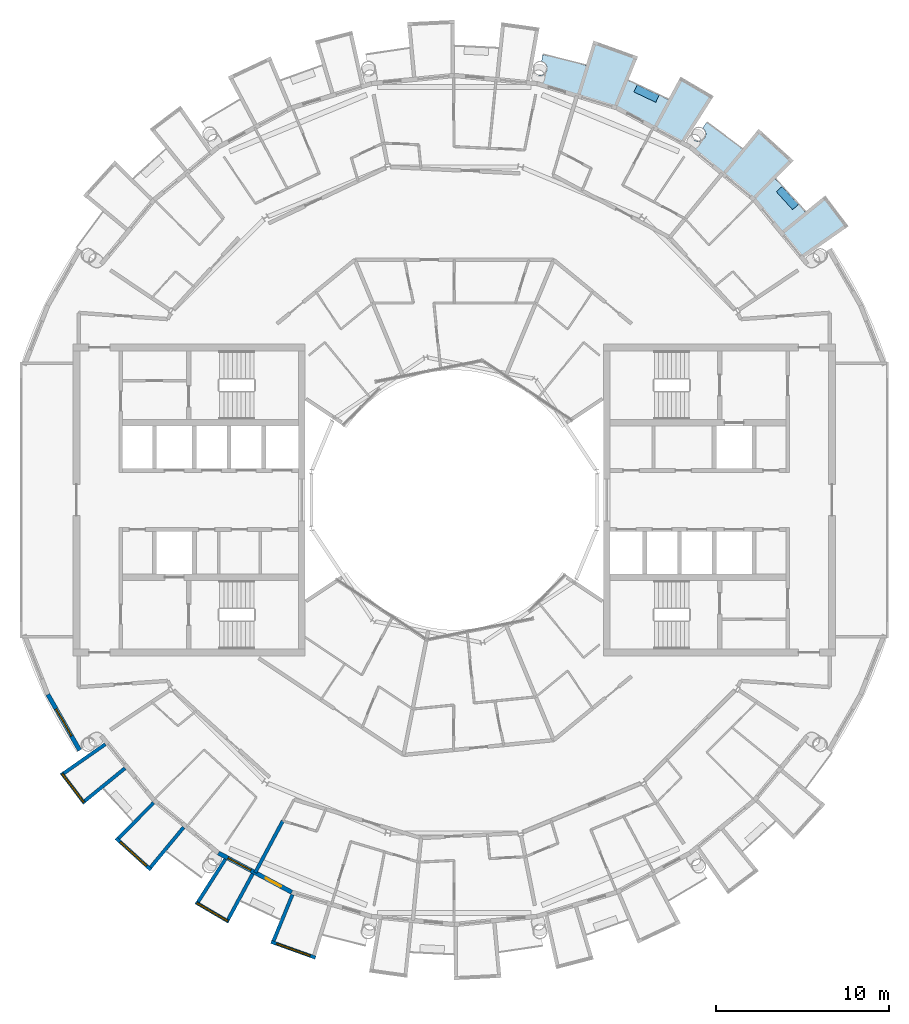
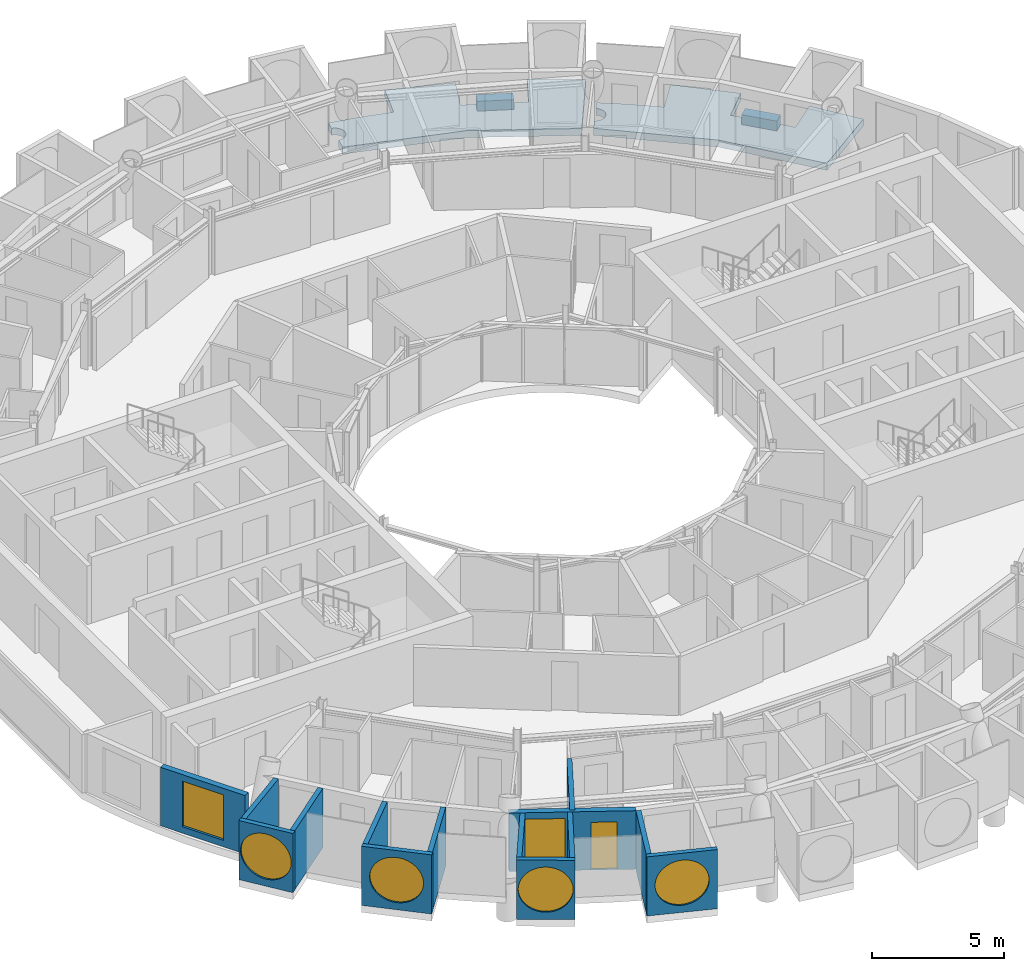
# One storey, part 13 of 27: 14 walls, 6 windows, 4 slabs, 1 door, 7 openings.
"""IFC4 building model written with IfcOpenShell, lengths in metres."""

from ifc_helpers import new_model, si_unit, direction, frame, frame_2d, origin, place, context, subcontext, project, spatial, polyline, rectangle, circle, outline, extrude, material, layer, layer_set, type_object, element, fill, save


model = new_model("IFC4")

# Units and contexts
model_context = context("Model", 3, precision=1e-05, world=origin(), true_north=direction((0.0, 1.0)))
body_context = subcontext(model_context, "Body", "Model", "MODEL_VIEW")
ifc_project = project(units=[si_unit("LENGTHUNIT", "METRE"), si_unit("AREAUNIT", "SQUARE_METRE"), si_unit("VOLUMEUNIT", "CUBIC_METRE"), si_unit("PLANEANGLEUNIT", "RADIAN"), si_unit("MASSUNIT", "GRAM", prefix="KILO")], contexts=[model_context])

# Site, building, storey
site_placement = place(None, origin())
site = spatial("IfcSite", under=ifc_project, at=site_placement, CompositionType="ELEMENT")
building_placement = place(site_placement, origin())
building = spatial("IfcBuilding", under=site, at=building_placement, Name="Maasbend Ring Residences", CompositionType="ELEMENT")
storey_placement = place(building_placement, frame((0.0, 0.0, 243.199951171875)))
storey = spatial("IfcBuildingStorey", under=building, at=storey_placement, Name="L70", CompositionType="ELEMENT", Elevation=243.199951171875)

# Slabs
ifc_material_1 = material(Name="Planting with climbing greenery")
ifc_layer_1 = layer(ifc_material_1, 0.449951171875)
ifc_layer_set_1 = layer_set([ifc_layer_1], Name="PLANTER-LG")
slab_type_1 = type_object("IfcSlabType", Name="PLANTER-LG", PredefinedType="USERDEFINED", material=ifc_layer_set_1)
slab_1_placement = place(storey_placement, frame((0.0, 0.0, -0.030029296875)))
element("IfcSlab", 1, at=slab_1_placement, inside=storey, type_object=slab_type_1, Name="Planter with climbing greenery 1", ObjectType="PLANTER", PredefinedType="USERDEFINED", context=body_context, shape_type="SweptSolid", body=[
    extrude(outline(polyline([(19.860107421875, 17.054931640625), (18.9189453125, 18.092041015625), (18.5859375, 17.7900390625), (19.52587890625, 16.7529296875), (19.860107421875, 17.054931640625)])), origin(), (0.0, 0.0, 1.0), 0.4501953125),
])
slab_2_placement = place(storey_placement, frame((0.0, 0.0, -0.030029296875)))
element("IfcSlab", 2, at=slab_2_placement, inside=storey, type_object=slab_type_1, Name="Planter with climbing greenery 2", ObjectType="PLANTER", PredefinedType="USERDEFINED", context=body_context, shape_type="SweptSolid", body=[
    extrude(outline(polyline([(11.821044921875, 23.35693359375), (10.555908203125, 23.955078125), (10.363037109375, 23.548095703125), (11.62890625, 22.949951171875), (11.821044921875, 23.35693359375)])), origin(), (0.0, 0.0, 1.0), 0.4501953125),
])
ifc_material_2 = material(Name="Concrete C40/50", Category="concrete")
ifc_layer_2 = layer(ifc_material_2, 0.199951171875)
ifc_layer_set_2 = layer_set([ifc_layer_2], Name="Concrete C40/50")
slab_type_2 = type_object("IfcSlabType", Name="SL-LOGGIA", PredefinedType="FLOOR", material=ifc_layer_set_2)
slab_3_placement = place(storey_placement, frame((0.0, 0.0, -0.349853515625)))
element("IfcSlab", 3, at=slab_3_placement, inside=storey, type_object=slab_type_2, Name="Loggia floor 3", PredefinedType="FLOOR", context=body_context, shape_type="SweptSolid", body=[
    extrude(outline(polyline([(4.89599609375, 24.510009765625), (4.906005859375, 24.508056640625), (4.9150390625, 24.507080078125), (4.925048828125, 24.507080078125), (4.93505859375, 24.506103515625), (4.945068359375, 24.506103515625), (4.955078125, 24.5048828125), (4.965087890625, 24.506103515625), (4.97509765625, 24.506103515625), (4.985107421875, 24.507080078125), (4.9951171875, 24.507080078125), (5.0048828125, 24.508056640625), (5.014892578125, 24.510009765625), (5.02490234375, 24.510986328125), (5.034912109375, 24.512939453125), (5.0439453125, 24.514892578125), (5.053955078125, 24.51806640625), (5.06396484375, 24.52001953125), (5.072998046875, 24.52294921875), (5.0830078125, 24.52587890625), (5.092041015625, 24.529052734375), (5.10205078125, 24.532958984375), (5.111083984375, 24.535888671875), (5.1201171875, 24.5400390625), (5.12890625, 24.5439453125), (5.137939453125, 24.549072265625), (5.14697265625, 24.552978515625), (5.156005859375, 24.55810546875), (5.1640625, 24.56298828125), (5.173095703125, 24.568115234375), (5.180908203125, 24.573974609375), (5.18896484375, 24.580078125), (5.197021484375, 24.5849609375), (5.205078125, 24.591064453125), (5.212890625, 24.597900390625), (5.220947265625, 24.60400390625), (5.22802734375, 24.611083984375), (5.236083984375, 24.616943359375), (5.242919921875, 24.6240234375), (5.25, 24.632080078125), (5.256103515625, 24.638916015625), (5.262939453125, 24.64599609375), (5.27001953125, 24.654052734375), (5.27587890625, 24.662109375), (5.281982421875, 24.669921875), (5.2880859375, 24.677978515625), (5.29296875, 24.68603515625), (5.299072265625, 24.694091796875), (5.303955078125, 24.702880859375), (5.30908203125, 24.7119140625), (5.31396484375, 24.719970703125), (5.318115234375, 24.72900390625), (5.322998046875, 24.738037109375), (5.326904296875, 24.7470703125), (5.3310546875, 24.756103515625), (5.3349609375, 24.76611328125), (5.337890625, 24.77490234375), (5.341064453125, 24.783935546875), (5.343994140625, 24.7939453125), (5.346923828125, 24.802978515625), (5.35009765625, 24.81298828125), (5.35205078125, 24.822998046875), (5.35400390625, 24.8330078125), (5.35595703125, 24.842041015625), (5.35693359375, 24.85205078125), (5.35888671875, 24.862060546875), (5.360107421875, 24.8720703125), (5.361083984375, 24.882080078125), (5.361083984375, 24.89208984375), (5.362060546875, 24.902099609375), (5.362060546875, 24.912109375), (5.362060546875, 24.922119140625), (5.361083984375, 24.931884765625), (5.361083984375, 24.94189453125), (5.360107421875, 24.951904296875), (5.35888671875, 24.9619140625), (5.35693359375, 24.971923828125), (5.35595703125, 24.98095703125), (5.35400390625, 24.990966796875), (5.35205078125, 25.0009765625), (5.35009765625, 25.010986328125), (5.346923828125, 25.02001953125), (5.343994140625, 25.030029296875), (5.341064453125, 25.0390625), (5.337890625, 25.049072265625), (5.3349609375, 25.05810546875), (5.3310546875, 25.06689453125), (5.326904296875, 25.076904296875), (5.322998046875, 25.0859375), (5.318115234375, 25.094970703125), (5.31396484375, 25.10400390625), (5.30908203125, 25.112060546875), (5.303955078125, 25.12109375), (5.299072265625, 25.12890625), (5.29296875, 25.137939453125), (5.2880859375, 25.14599609375), (5.281982421875, 25.154052734375), (5.27587890625, 25.162109375), (5.27001953125, 25.169921875), (5.262939453125, 25.177001953125), (5.256103515625, 25.18505859375), (5.25, 25.19189453125), (5.242919921875, 25.198974609375), (5.236083984375, 25.2060546875), (5.22802734375, 25.212890625), (5.220947265625, 25.219970703125), (5.212890625, 25.22607421875), (5.205078125, 25.23193359375), (5.197021484375, 25.238037109375), (5.18896484375, 25.243896484375), (5.180908203125, 25.25), (5.173095703125, 25.2548828125), (5.1640625, 25.260986328125), (5.156005859375, 25.26611328125), (5.14697265625, 25.27001953125), (5.137939453125, 25.27490234375), (5.12890625, 25.279052734375), (5.1201171875, 25.283935546875), (5.111083984375, 25.287109375), (5.10205078125, 25.291015625), (5.092041015625, 25.294921875), (5.0830078125, 25.298095703125), (5.072998046875, 25.301025390625), (5.06396484375, 25.303955078125), (5.053955078125, 25.305908203125), (5.0439453125, 25.30908203125), (5.034912109375, 25.31103515625), (5.034912109375, 25.31103515625), (5.111083984375, 25.697021484375), (5.111083984375, 25.697021484375), (5.111083984375, 25.697021484375), (5.948974609375, 25.51611328125), (5.948974609375, 25.51611328125), (6.781005859375, 25.306884765625), (6.781005859375, 25.306884765625), (7.60498046875, 25.072021484375), (7.60498046875, 25.072021484375), (7.60498046875, 25.072021484375), (7.60498046875, 25.072021484375), (7.60498046875, 25.072021484375), (7.60498046875, 25.072021484375), (7.60498046875, 25.072021484375), (7.60498046875, 25.072021484375), (7.60498046875, 25.072021484375), (7.60498046875, 25.072021484375), (7.60498046875, 25.072021484375), (7.60498046875, 25.072021484375), (7.60595703125, 25.072021484375), (7.60595703125, 25.072021484375), (7.60595703125, 25.072021484375), (7.60595703125, 25.072021484375), (7.60595703125, 25.072021484375), (8.041015625, 26.507080078125), (8.041015625, 26.507080078125), (8.041015625, 26.507080078125), (10.60009765625, 25.591064453125), (10.60009765625, 25.591064453125), (10.60009765625, 25.591064453125), (10.02587890625, 24.2060546875), (10.02587890625, 24.2060546875), (10.02587890625, 24.2060546875), (10.02587890625, 24.2060546875), (10.02587890625, 24.2060546875), (10.02587890625, 24.2060546875), (10.02587890625, 24.2060546875), (10.02587890625, 24.2060546875), (10.02587890625, 24.2060546875), (10.027099609375, 24.2060546875), (10.027099609375, 24.2060546875), (10.027099609375, 24.2060546875), (10.027099609375, 24.2060546875), (10.027099609375, 24.2060546875), (10.027099609375, 24.205078125), (10.027099609375, 24.205078125), (10.027099609375, 24.205078125), (10.81298828125, 23.864990234375), (10.81298828125, 23.864990234375), (11.587890625, 23.498046875), (11.587890625, 23.498046875), (12.35009765625, 23.10693359375), (12.35009765625, 23.10693359375), (12.35009765625, 23.10693359375), (12.35009765625, 23.10693359375), (12.35009765625, 23.10693359375), (12.35009765625, 23.10693359375), (12.35009765625, 23.10693359375), (12.35009765625, 23.10693359375), (12.35107421875, 23.10693359375), (12.35107421875, 23.10693359375), (12.35107421875, 23.10693359375), (12.35107421875, 23.10693359375), (12.35107421875, 23.10693359375), (12.35107421875, 23.10693359375), (12.35107421875, 23.10693359375), (12.35107421875, 23.10693359375), (12.35107421875, 23.10693359375), (13.05810546875, 24.428955078125), (13.05810546875, 24.428955078125), (13.05810546875, 24.428955078125), (14.972900390625, 23.303955078125), (14.972900390625, 23.303955078125), (14.972900390625, 23.303955078125), (13.221923828125, 20.5791015625), (13.221923828125, 20.5791015625), (13.221923828125, 20.5791015625), (11.493896484375, 21.5029296875), (9.3759765625, 22.635009765625), (9.3759765625, 22.635009765625), (9.3759765625, 22.635009765625), (7.077880859375, 23.33203125), (4.780029296875, 24.029052734375), (4.780029296875, 24.029052734375), (4.780029296875, 24.029052734375), (4.8759765625, 24.512939453125), (4.8759765625, 24.512939453125), (4.885986328125, 24.510986328125), (4.89599609375, 24.510009765625)])), origin(), (0.0, 0.0, 1.0), 0.31982421875),
])
slab_4_placement = place(storey_placement, frame((0.0, 0.0, -0.349853515625)))
element("IfcSlab", 4, at=slab_4_placement, inside=storey, type_object=slab_type_2, Name="Loggia floor 4", PredefinedType="FLOOR", context=body_context, shape_type="SweptSolid", body=[
    extrude(outline(polyline([(13.885986328125, 20.781005859375), (13.89404296875, 20.77587890625), (13.903076171875, 20.77099609375), (13.910888671875, 20.76611328125), (13.919921875, 20.760986328125), (13.928955078125, 20.756103515625), (13.93798828125, 20.751953125), (13.947021484375, 20.748046875), (13.9560546875, 20.743896484375), (13.965087890625, 20.739990234375), (13.97509765625, 20.737060546875), (13.98388671875, 20.73291015625), (13.992919921875, 20.72998046875), (14.0029296875, 20.72802734375), (14.012939453125, 20.72509765625), (14.02197265625, 20.722900390625), (14.031982421875, 20.720947265625), (14.0419921875, 20.718994140625), (14.052001953125, 20.717041015625), (14.06201171875, 20.716064453125), (14.072021484375, 20.715087890625), (14.08203125, 20.714111328125), (14.092041015625, 20.712890625), (14.10205078125, 20.712890625), (14.111083984375, 20.712890625), (14.12109375, 20.712890625), (14.131103515625, 20.712890625), (14.14111328125, 20.714111328125), (14.15087890625, 20.715087890625), (14.160888671875, 20.716064453125), (14.1708984375, 20.717041015625), (14.180908203125, 20.718994140625), (14.19091796875, 20.720947265625), (14.200927734375, 20.722900390625), (14.2099609375, 20.72509765625), (14.219970703125, 20.72802734375), (14.22998046875, 20.72998046875), (14.239013671875, 20.73291015625), (14.248046875, 20.737060546875), (14.258056640625, 20.739990234375), (14.26708984375, 20.743896484375), (14.27587890625, 20.748046875), (14.284912109375, 20.751953125), (14.2939453125, 20.756103515625), (14.302978515625, 20.760986328125), (14.31201171875, 20.76611328125), (14.320068359375, 20.77099609375), (14.3291015625, 20.77587890625), (14.3369140625, 20.781005859375), (14.345947265625, 20.787109375), (14.35400390625, 20.79296875), (14.362060546875, 20.799072265625), (14.368896484375, 20.804931640625), (14.376953125, 20.81103515625), (14.384033203125, 20.818115234375), (14.39208984375, 20.824951171875), (14.39892578125, 20.83203125), (14.406005859375, 20.839111328125), (14.4130859375, 20.845947265625), (14.4189453125, 20.85400390625), (14.426025390625, 20.861083984375), (14.431884765625, 20.868896484375), (14.43798828125, 20.876953125), (14.444091796875, 20.885009765625), (14.448974609375, 20.89306640625), (14.455078125, 20.902099609375), (14.4599609375, 20.909912109375), (14.465087890625, 20.9189453125), (14.469970703125, 20.927978515625), (14.47509765625, 20.93701171875), (14.47900390625, 20.945068359375), (14.48291015625, 20.955078125), (14.487060546875, 20.964111328125), (14.490966796875, 20.972900390625), (14.493896484375, 20.98193359375), (14.4970703125, 20.991943359375), (14.5, 21.0009765625), (14.5029296875, 21.010986328125), (14.506103515625, 21.02099609375), (14.508056640625, 21.030029296875), (14.510009765625, 21.0400390625), (14.511962890625, 21.050048828125), (14.513916015625, 21.06005859375), (14.514892578125, 21.070068359375), (14.51611328125, 21.0791015625), (14.51708984375, 21.089111328125), (14.51806640625, 21.09912109375), (14.51806640625, 21.10888671875), (14.51806640625, 21.118896484375), (14.51806640625, 21.12890625), (14.51806640625, 21.138916015625), (14.51708984375, 21.14892578125), (14.51611328125, 21.158935546875), (14.514892578125, 21.1689453125), (14.513916015625, 21.178955078125), (14.511962890625, 21.18896484375), (14.510009765625, 21.198974609375), (14.508056640625, 21.2080078125), (14.506103515625, 21.218017578125), (14.5029296875, 21.22802734375), (14.5, 21.237060546875), (14.4970703125, 21.2470703125), (14.493896484375, 21.256103515625), (14.490966796875, 21.26611328125), (14.487060546875, 21.27490234375), (14.48291015625, 21.283935546875), (14.47900390625, 21.29296875), (14.47509765625, 21.302001953125), (14.469970703125, 21.31103515625), (14.465087890625, 21.320068359375), (14.4599609375, 21.327880859375), (14.455078125, 21.3369140625), (14.448974609375, 21.344970703125), (14.444091796875, 21.35302734375), (14.43798828125, 21.361083984375), (14.431884765625, 21.368896484375), (14.426025390625, 21.376953125), (14.4189453125, 21.385009765625), (14.4130859375, 21.39208984375), (14.406005859375, 21.39990234375), (14.39892578125, 21.406982421875), (14.39208984375, 21.4140625), (14.384033203125, 21.419921875), (14.376953125, 21.427001953125), (14.368896484375, 21.43408203125), (14.362060546875, 21.43994140625), (14.35400390625, 21.446044921875), (14.345947265625, 21.451904296875), (14.3369140625, 21.45703125), (14.555908203125, 21.783935546875), (15.260986328125, 21.297119140625), (15.949951171875, 20.785888671875), (16.62109375, 20.2529296875), (16.62109375, 20.2529296875), (16.62109375, 20.2529296875), (16.62109375, 20.2529296875), (16.62109375, 20.2529296875), (16.62109375, 20.2529296875), (16.62109375, 20.2529296875), (16.62109375, 20.2529296875), (16.62109375, 20.2529296875), (16.62109375, 20.2529296875), (16.62109375, 20.2529296875), (16.62109375, 20.2529296875), (16.62109375, 20.2529296875), (16.62109375, 20.2529296875), (16.62109375, 20.2529296875), (16.62109375, 20.2529296875), (16.62109375, 20.2529296875), (17.572998046875, 21.412109375), (19.5869140625, 19.5869140625), (18.527099609375, 18.527099609375), (18.527099609375, 18.527099609375), (18.52587890625, 18.52587890625), (18.52587890625, 18.52587890625), (18.52587890625, 18.52587890625), (18.52587890625, 18.52587890625), (18.52587890625, 18.52587890625), (18.52587890625, 18.52587890625), (18.52587890625, 18.52587890625), (18.52587890625, 18.52587890625), (18.52587890625, 18.52587890625), (18.52587890625, 18.52587890625), (18.52587890625, 18.52587890625), (18.52587890625, 18.52587890625), (18.52587890625, 18.52587890625), (18.527099609375, 18.52587890625), (18.527099609375, 18.52587890625), (19.1220703125, 17.909912109375), (19.697998046875, 17.27490234375), (20.2529296875, 16.62109375), (20.2529296875, 16.62109375), (20.2529296875, 16.62109375), (20.2529296875, 16.62109375), (20.2529296875, 16.62109375), (20.2529296875, 16.62109375), (20.2529296875, 16.62109375), (20.2529296875, 16.62109375), (20.2529296875, 16.62109375), (20.2529296875, 16.62109375), (20.2529296875, 16.62109375), (20.2529296875, 16.62109375), (20.2529296875, 16.62109375), (20.2529296875, 16.62109375), (20.2529296875, 16.62109375), (20.2529296875, 16.62109375), (20.2529296875, 16.62109375), (21.412109375, 17.572998046875), (22.751953125, 15.800048828125), (20.091064453125, 13.952880859375), (18.847900390625, 15.468017578125), (17.323974609375, 17.323974609375), (17.323974609375, 17.323974609375), (17.323974609375, 17.323974609375), (15.468017578125, 18.847900390625), (13.611083984375, 20.37109375), (13.885986328125, 20.781005859375)])), origin(), (0.0, 0.0, 1.0), 0.31982421875),
])

# Wall, opening, window
ifc_material_3 = material(Name="Pale anodised aluminium panel", Category="aluminium")
ifc_layer_3 = layer(ifc_material_3, 0.199951171875)
ifc_layer_set_3 = layer_set([ifc_layer_3], Name="EW-BOX")
wall_type_1 = type_object("IfcWallType", Name="EW-BOX", PredefinedType="SOLIDWALL", material=ifc_layer_set_3)
wall_1_placement = place(storey_placement, frame((-22.672119140625, -15.739990234375, -0.030029296875), z_axis=(0.0, 0.0, 1.0), x_axis=(0.602915500641, -0.797805050803, 0.0)))
wall_1 = element("IfcWall", 5, at=wall_1_placement, inside=storey, type_object=wall_type_1, Name="Box front S01", PredefinedType="SOLIDWALL", context=body_context, shape_type="SweptSolid", body=[
    extrude(rectangle(XDim=2.220947265625, YDim=0.199951171875, at=frame_2d((1.1103515625, 0.0))), origin(), (0.0, 0.0, 1.0), 2.72998046875),
])
opening_1_placement = place(wall_1_placement, frame((0.070556640625, 0.0, 0.330078125)))
opening_1 = element("IfcOpeningElement", 6, at=opening_1_placement, cuts=wall_1, Name="Opening W-RD", PredefinedType="OPENING", context=body_context, shape_type="SweptSolid", body=[
    extrude(circle(Radius=1.0400390625, at=frame_2d((1.0400390625, 1.0400390625))), frame((0.0, 0.10986328125, 0.0), z_axis=(0.0, -1.0, 0.0), x_axis=(1.0, 0.0, 0.0)), (0.0, 0.0, 1.0), 0.219970703125),
])
ifc_material_4 = material(Name="Aluminium and clear glass", Category="aluminium")
window_type_1 = type_object("IfcWindowType", Name="W-RD", PartitioningType="SINGLE_PANEL", PredefinedType="WINDOW", material=ifc_material_4)
window_1_placement = place(opening_1_placement, origin())
window_1 = element("IfcWindow", 7, at=window_1_placement, inside=storey, type_object=window_type_1, Name="Round window S01", OverallHeight=2.080078125, OverallWidth=2.080078125, PartitioningType="SINGLE_PANEL", PredefinedType="WINDOW", context=body_context, shape_type="SweptSolid", body=[
    extrude(circle(Radius=1.0400390625, at=frame_2d((1.0400390625, 1.0400390625))), frame((0.0, 0.030029296875, 0.0), z_axis=(0.0, -1.0, 0.0), x_axis=(1.0, 0.0, 0.0)), (0.0, 0.0, 1.0), 0.06005859375),
])
fill(opening_1, window_1)

# Walls
wall_2_placement = place(storey_placement, frame((-20.137939453125, -14.093017578125, -0.030029296875), z_axis=(0.0, 0.0, 1.0), x_axis=(-0.81913764619, -0.573596998419, 0.0)))
element("IfcWall", 8, at=wall_2_placement, inside=storey, type_object=wall_type_1, Name="Box side wall S01 left", PredefinedType="SOLIDWALL", context=body_context, shape_type="SweptSolid", body=[
    extrude(rectangle(XDim=2.920166015625, YDim=0.199951171875, at=frame_2d((1.4599609375, 0.0))), origin(), (0.0, 0.0, 1.0), 2.72998046875),
])
wall_3_placement = place(storey_placement, frame((-19.0, -15.47900390625, -0.030029296875), z_axis=(0.0, 0.0, 1.0), x_axis=(-0.775612161439, -0.631209771017, 0.0)))
element("IfcWall", 9, at=wall_3_placement, inside=storey, type_object=wall_type_1, Name="Box side wall S01 right", PredefinedType="SOLIDWALL", context=body_context, shape_type="SweptSolid", body=[
    extrude(rectangle(XDim=2.992431640625, YDim=0.199951171875, at=frame_2d((1.49609375, 0.0))), origin(), (0.0, 0.0, 1.0), 2.72998046875),
])

# Wall, opening, window
wall_4_placement = place(storey_placement, frame((-19.52001953125, -19.512939453125, -0.030029296875), z_axis=(0.0, 0.0, 1.0), x_axis=(0.741016284298, -0.671487056022, 0.0)))
wall_4 = element("IfcWall", 10, at=wall_4_placement, inside=storey, type_object=wall_type_1, Name="Box front S03", PredefinedType="SOLIDWALL", context=body_context, shape_type="SweptSolid", body=[
    extrude(rectangle(XDim=2.7177734375, YDim=0.199951171875, at=frame_2d((1.35888671875, 0.0))), origin(), (0.0, 0.0, 1.0), 2.72998046875),
])
opening_2_placement = place(wall_4_placement, frame((0.319091796875, 0.0, 0.330078125)))
opening_2 = element("IfcOpeningElement", 11, at=opening_2_placement, cuts=wall_4, Name="Opening W-RD", PredefinedType="OPENING", context=body_context, shape_type="SweptSolid", body=[
    extrude(circle(Radius=1.0400390625, at=frame_2d((1.0400390625, 1.0400390625))), frame((0.0, 0.10986328125, 0.0), z_axis=(0.0, -1.0, 0.0), x_axis=(1.0, 0.0, 0.0)), (0.0, 0.0, 1.0), 0.219970703125),
])
window_2_placement = place(opening_2_placement, origin())
window_2 = element("IfcWindow", 12, at=window_2_placement, inside=storey, type_object=window_type_1, Name="Round window S03", OverallHeight=2.080078125, OverallWidth=2.080078125, PartitioningType="SINGLE_PANEL", PredefinedType="WINDOW", context=body_context, shape_type="SweptSolid", body=[
    extrude(circle(Radius=1.0400390625, at=frame_2d((1.0400390625, 1.0400390625))), frame((0.0, 0.030029296875, 0.0), z_axis=(0.0, -1.0, 0.0), x_axis=(1.0, 0.0, 0.0)), (0.0, 0.0, 1.0), 0.06005859375),
])
fill(opening_2, window_2)

# Walls
wall_5_placement = place(storey_placement, frame((-17.343994140625, -17.469970703125, -0.030029296875), z_axis=(0.0, 0.0, 1.0), x_axis=(-0.704306055012, -0.709896457854, 0.0)))
element("IfcWall", 13, at=wall_5_placement, inside=storey, type_object=wall_type_1, Name="Box side wall S03 left", PredefinedType="SOLIDWALL", context=body_context, shape_type="SweptSolid", body=[
    extrude(rectangle(XDim=2.88232421875, YDim=0.199951171875, at=frame_2d((1.441162109375, 0.0))), origin(), (0.0, 0.0, 1.0), 2.72998046875),
])
wall_6_placement = place(storey_placement, frame((-15.614990234375, -18.887939453125, -0.030029296875), z_axis=(0.0, 0.0, 1.0), x_axis=(-0.637452521862, -0.770489638069, 0.0)))
element("IfcWall", 14, at=wall_6_placement, inside=storey, type_object=wall_type_1, Name="Box side wall S03 right", PredefinedType="SOLIDWALL", context=body_context, shape_type="SweptSolid", body=[
    extrude(rectangle(XDim=2.9931640625, YDim=0.199951171875, at=frame_2d((1.49658203125, 0.0))), origin(), (0.0, 0.0, 1.0), 2.72998046875),
])

# Wall, opening, window
wall_7_placement = place(storey_placement, frame((-14.923095703125, -23.218017578125, -0.030029296875), z_axis=(0.0, 0.0, 1.0), x_axis=(0.862340692672, -0.506328480101, 0.0)))
wall_7 = element("IfcWall", 15, at=wall_7_placement, inside=storey, type_object=wall_type_1, Name="Box front S05", PredefinedType="SOLIDWALL", context=body_context, shape_type="SweptSolid", body=[
    extrude(rectangle(XDim=2.221923828125, YDim=0.199951171875, at=frame_2d((1.11083984375, 0.0))), origin(), (0.0, 0.0, 1.0), 2.72998046875),
])
opening_3_placement = place(wall_7_placement, frame((0.070556640625, 0.0, 0.330078125)))
opening_3 = element("IfcOpeningElement", 16, at=opening_3_placement, cuts=wall_7, Name="Opening W-RD", PredefinedType="OPENING", context=body_context, shape_type="SweptSolid", body=[
    extrude(circle(Radius=1.0400390625, at=frame_2d((1.0400390625, 1.0400390625))), frame((0.0, 0.10986328125, 0.0), z_axis=(0.0, -1.0, 0.0), x_axis=(1.0, 0.0, 0.0)), (0.0, 0.0, 1.0), 0.219970703125),
])
window_3_placement = place(opening_3_placement, origin())
window_3 = element("IfcWindow", 17, at=window_3_placement, inside=storey, type_object=window_type_1, Name="Round window S05", OverallHeight=2.080078125, OverallWidth=2.080078125, PartitioningType="SINGLE_PANEL", PredefinedType="WINDOW", context=body_context, shape_type="SweptSolid", body=[
    extrude(circle(Radius=1.0400390625, at=frame_2d((1.0400390625, 1.0400390625))), frame((0.0, 0.030029296875, 0.0), z_axis=(0.0, -1.0, 0.0), x_axis=(1.0, 0.0, 0.0)), (0.0, 0.0, 1.0), 0.06005859375),
])
fill(opening_3, window_3)

# Walls
wall_8_placement = place(storey_placement, frame((-13.2109375, -20.72705078125, -0.030029296875), z_axis=(0.0, 0.0, 1.0), x_axis=(-0.537551395407, -0.843230986917, 0.0)))
element("IfcWall", 18, at=wall_8_placement, inside=storey, type_object=wall_type_1, Name="Box side wall S05 left", PredefinedType="SOLIDWALL", context=body_context, shape_type="SweptSolid", body=[
    extrude(rectangle(XDim=2.9208984375, YDim=0.199951171875, at=frame_2d((1.46044921875, 0.0))), origin(), (0.0, 0.0, 1.0), 2.72998046875),
])
wall_9_placement = place(storey_placement, frame((-11.631103515625, -21.572021484375, -0.030029296875), z_axis=(0.0, 0.0, 1.0), x_axis=(-0.474649669009, -0.880174807473, 0.0)))
element("IfcWall", 19, at=wall_9_placement, inside=storey, type_object=wall_type_1, Name="Box side wall S05 right", PredefinedType="SOLIDWALL", context=body_context, shape_type="SweptSolid", body=[
    extrude(rectangle(XDim=2.991455078125, YDim=0.199951171875, at=frame_2d((1.49560546875, 0.0))), origin(), (0.0, 0.0, 1.0), 2.72998046875),
])

# Wall, opening, window
wall_10_placement = place(storey_placement, frame((-10.56689453125, -25.4970703125, -0.030029296875), z_axis=(0.0, 0.0, 1.0), x_axis=(0.941532471443, -0.336922253968, 0.0)))
wall_10 = element("IfcWall", 20, at=wall_10_placement, inside=storey, type_object=wall_type_1, Name="Box front S07", PredefinedType="SOLIDWALL", context=body_context, shape_type="SweptSolid", body=[
    extrude(rectangle(XDim=2.71875, YDim=0.199951171875, at=frame_2d((1.359375, 0.0))), origin(), (0.0, 0.0, 1.0), 2.72998046875),
])
opening_4_placement = place(wall_10_placement, frame((0.319091796875, 0.0, 0.330078125)))
opening_4 = element("IfcOpeningElement", 21, at=opening_4_placement, cuts=wall_10, Name="Opening W-RD", PredefinedType="OPENING", context=body_context, shape_type="SweptSolid", body=[
    extrude(circle(Radius=1.0400390625, at=frame_2d((1.0400390625, 1.0400390625))), frame((0.0, 0.10986328125, 0.0), z_axis=(0.0, -1.0, 0.0), x_axis=(1.0, 0.0, 0.0)), (0.0, 0.0, 1.0), 0.219970703125),
])
window_4_placement = place(opening_4_placement, origin())
window_4 = element("IfcWindow", 22, at=window_4_placement, inside=storey, type_object=window_type_1, Name="Round window S07", OverallHeight=2.080078125, OverallWidth=2.080078125, PartitioningType="SINGLE_PANEL", PredefinedType="WINDOW", context=body_context, shape_type="SweptSolid", body=[
    extrude(circle(Radius=1.0400390625, at=frame_2d((1.0400390625, 1.0400390625))), frame((0.0, 0.030029296875, 0.0), z_axis=(0.0, -1.0, 0.0), x_axis=(1.0, 0.0, 0.0)), (0.0, 0.0, 1.0), 0.06005859375),
])
fill(opening_4, window_4)

# Wall
wall_11_placement = place(storey_placement, frame((-9.337890625, -22.777099609375, -0.030029296875), z_axis=(0.0, 0.0, 1.0), x_axis=(-0.379219850791, -0.925306600412, 0.0)))
element("IfcWall", 23, at=wall_11_placement, inside=storey, type_object=wall_type_1, Name="Box side wall S07 left", PredefinedType="SOLIDWALL", context=body_context, shape_type="SweptSolid", body=[
    extrude(rectangle(XDim=2.88232421875, YDim=0.199951171875, at=frame_2d((1.441162109375, 0.0))), origin(), (0.0, 0.0, 1.0), 2.72998046875),
])

# Wall, openings, door, window
ifc_material_5 = material(Name="Aluminium clad insulated panel", Category="aluminium")
ifc_layer_4 = layer(ifc_material_5, 0.25)
ifc_layer_set_4 = layer_set([ifc_layer_4], Name="EW-GL")
wall_type_2 = type_object("IfcWallType", Name="EW-GL", PredefinedType="SOLIDWALL", material=ifc_layer_set_4)
wall_12_placement = place(storey_placement, frame((-13.611083984375, -20.37109375, 0.0), z_axis=(0.0, 0.0, 1.0), x_axis=(0.881903608701, -0.471429766731, 0.0)))
wall_12 = element("IfcWall", 24, at=wall_12_placement, inside=storey, type_object=wall_type_2, Name="External wall S03", PredefinedType="SOLIDWALL", context=body_context, shape_type="SweptSolid", body=[
    extrude(rectangle(XDim=4.80224609375, YDim=0.25, at=frame_2d((2.401123046875, 0.0))), origin(), (0.0, 0.0, 1.0), 2.699951171875),
])
opening_5_placement = place(wall_12_placement, frame((0.6201171875, 0.0, 0.300048828125)))
opening_5 = element("IfcOpeningElement", 25, at=opening_5_placement, cuts=wall_12, Name="Opening W-BN", PredefinedType="OPENING", context=body_context, shape_type="SweptSolid", body=[
    extrude(rectangle(XDim=1.5, YDim=2.10009765625, at=frame_2d((0.75, 1.050048828125))), frame((0.0, 0.135009765625, 0.0), z_axis=(0.0, -1.0, 0.0), x_axis=(1.0, 0.0, 0.0)), (0.0, 0.0, 1.0), 0.27001953125),
])
opening_6_placement = place(wall_12_placement, frame((3.09912109375, 0.0, 0.0)))
opening_6 = element("IfcOpeningElement", 26, at=opening_6_placement, cuts=wall_12, Name="Opening D-LG", PredefinedType="OPENING", context=body_context, shape_type="SweptSolid", body=[
    extrude(rectangle(XDim=1.0, YDim=2.199951171875, at=frame_2d((0.5, 1.10009765625))), frame((0.0, 0.135009765625, 0.0), z_axis=(0.0, -1.0, 0.0), x_axis=(1.0, 0.0, 0.0)), (0.0, 0.0, 1.0), 0.27001953125),
])
ifc_material_6 = material(Name="Aluminium and clear glass", Category="aluminium")
door_type = type_object("IfcDoorType", Name="D-LG", OperationType="SINGLE_SWING_LEFT", PredefinedType="DOOR", material=ifc_material_6)
door_placement = place(opening_6_placement, origin())
door = element("IfcDoor", 27, at=door_placement, inside=storey, type_object=door_type, Name="Loggia door S06", OperationType="SINGLE_SWING_LEFT", OverallHeight=2.199951171875, OverallWidth=1.0, PredefinedType="DOOR", context=body_context, shape_type="SweptSolid", body=[
    extrude(rectangle(XDim=1.0, YDim=2.199951171875, at=frame_2d((0.5, 1.10009765625))), frame((0.0, 0.02490234375, 0.0), z_axis=(0.0, -1.0, 0.0), x_axis=(1.0, 0.0, 0.0)), (0.0, 0.0, 1.0), 0.050048828125),
])
fill(opening_6, door)
ifc_material_7 = material(Name="Aluminium and clear glass", Category="aluminium")
window_type_2 = type_object("IfcWindowType", Name="W-BN", PartitioningType="SINGLE_PANEL", PredefinedType="WINDOW", material=ifc_material_7)
window_5_placement = place(opening_5_placement, origin())
window_5 = element("IfcWindow", 28, at=window_5_placement, inside=storey, type_object=window_type_2, Name="Window S05 room to box", OverallHeight=2.10009765625, OverallWidth=1.5, PartitioningType="SINGLE_PANEL", PredefinedType="WINDOW", context=body_context, shape_type="SweptSolid", body=[
    extrude(rectangle(XDim=1.5, YDim=2.10009765625, at=frame_2d((0.75, 1.050048828125))), frame((0.0, 0.030029296875, 0.0), z_axis=(0.0, -1.0, 0.0), x_axis=(1.0, 0.0, 0.0)), (0.0, 0.0, 1.0), 0.06005859375),
])
fill(opening_5, window_5)

# Wall, opening, window
ifc_material_8 = material(Name="Aluminium clad insulated panel", Category="aluminium")
ifc_layer_5 = layer(ifc_material_8, 0.25)
ifc_layer_set_5 = layer_set([ifc_layer_5], Name="EW-HORN")
wall_type_3 = type_object("IfcWallType", Name="EW-HORN", PredefinedType="SOLIDWALL", material=ifc_layer_set_5)
wall_13_placement = place(storey_placement, frame((-23.451904296875, -11.22607421875, 0.0), z_axis=(0.0, 0.0, 1.0), x_axis=(0.495031435966, -0.868875064325, 0.0)))
wall_13 = element("IfcWall", 29, at=wall_13_placement, inside=storey, type_object=wall_type_3, Name="Horn wall 3.2", PredefinedType="SOLIDWALL", context=body_context, shape_type="SweptSolid", body=[
    extrude(rectangle(XDim=3.704833984375, YDim=0.25, at=frame_2d((1.8525390625, 0.0))), origin(), (0.0, 0.0, 1.0), 2.699951171875),
])
opening_7_placement = place(wall_13_placement, frame((0.952392578125, 0.0, 0.300048828125)))
opening_7 = element("IfcOpeningElement", 30, at=opening_7_placement, cuts=wall_13, Name="Opening W-BX", PredefinedType="OPENING", context=body_context, shape_type="SweptSolid", body=[
    extrude(rectangle(XDim=1.800048828125, YDim=2.10009765625, at=frame_2d((0.89990234375, 1.050048828125))), frame((0.0, 0.135009765625, 0.0), z_axis=(0.0, -1.0, 0.0), x_axis=(1.0, 0.0, 0.0)), (0.0, 0.0, 1.0), 0.27001953125),
])
ifc_material_9 = material(Name="Aluminium and clear glass", Category="aluminium")
window_type_3 = type_object("IfcWindowType", Name="W-BX", PartitioningType="DOUBLE_PANEL_VERTICAL", PredefinedType="WINDOW", material=ifc_material_9)
window_6_placement = place(opening_7_placement, origin())
window_6 = element("IfcWindow", 31, at=window_6_placement, inside=storey, type_object=window_type_3, Name="Horn window 3.2", OverallHeight=2.10009765625, OverallWidth=1.800048828125, PartitioningType="SINGLE_PANEL", PredefinedType="WINDOW", context=body_context, shape_type="SweptSolid", body=[
    extrude(rectangle(XDim=1.800048828125, YDim=2.10009765625, at=frame_2d((0.89990234375, 1.050048828125))), frame((0.0, 0.030029296875, 0.0), z_axis=(0.0, -1.0, 0.0), x_axis=(1.0, 0.0, 0.0)), (0.0, 0.0, 1.0), 0.06005859375),
])
fill(opening_7, window_6)

# Wall
ifc_material_10 = material(Name="Concrete C30/37", Category="concrete")
ifc_layer_6 = layer(ifc_material_10, 0.199951171875)
ifc_layer_set_6 = layer_set([ifc_layer_6], Name="Concrete C30/37")
wall_type_4 = type_object("IfcWallType", Name="PARTY WALL 200 CONCRETE", PredefinedType="PARTITIONING", material=ifc_layer_set_6)
wall_14_placement = place(storey_placement, frame((-11.485107421875, -21.4990234375, 0.0), z_axis=(0.0, 0.0, 1.0), x_axis=(0.471125037246, 0.882066436999, 0.0)))
element("IfcWall", 32, at=wall_14_placement, inside=storey, type_object=wall_type_4, Name="U-L70-w044", PredefinedType="PARTITIONING", context=body_context, shape_type="SweptSolid", body=[
    extrude(rectangle(XDim=3.375, YDim=0.199951171875, at=frame_2d((1.6875, 0.0))), origin(), (0.0, 0.0, 1.0), 2.699951171875),
])

save(model, "model.ifc")
